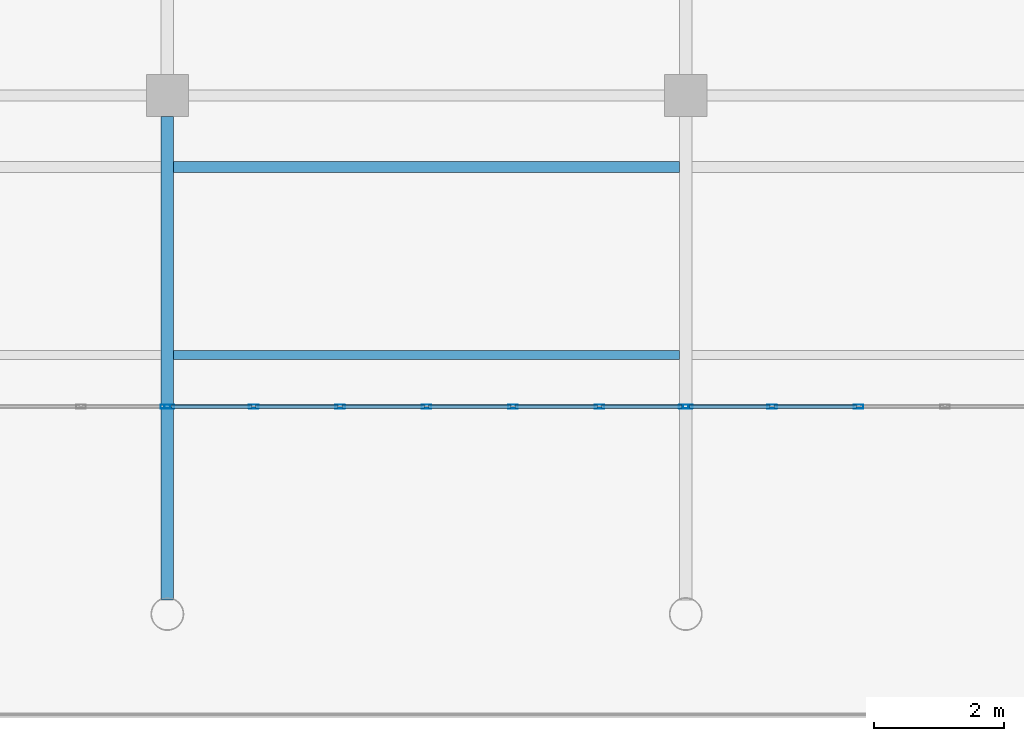
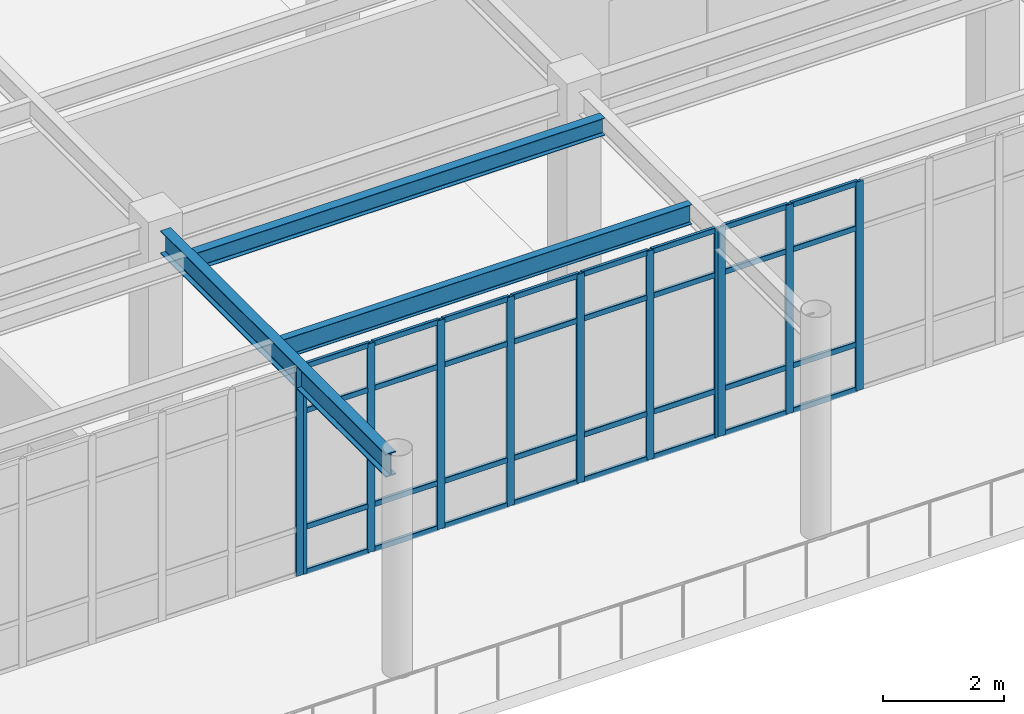
# One storey, part 39 of 75: 43 members, 3 beams, 3 elements without a shape of their own.
"""IFC4 building model written with IfcOpenShell, lengths in metres."""

from ifc_helpers import new_model, si_unit, direction, frame, origin, origin_2d, place, context, subcontext, project, spatial, hollow_rectangle, i_section, extrude, material, material_profile, profile_set, type_object, element, aggregate, save


model = new_model("IFC4")

# Units and contexts
model_context = context("Model", 3, precision=1e-05, world=origin(), true_north=direction((0.0, 1.0)))
body_context = subcontext(model_context, "Body", "Model", "MODEL_VIEW")
ifc_project = project(units=[si_unit("LENGTHUNIT", "METRE"), si_unit("AREAUNIT", "SQUARE_METRE"), si_unit("VOLUMEUNIT", "CUBIC_METRE"), si_unit("PLANEANGLEUNIT", "RADIAN"), si_unit("MASSUNIT", "GRAM", prefix="KILO")], contexts=[model_context])

# Site, building, storey
site_placement = place(None, origin())
site = spatial("IfcSite", under=ifc_project, at=site_placement, CompositionType="ELEMENT")
building_placement = place(site_placement, origin())
building = spatial("IfcBuilding", under=site, at=building_placement, Name="Solmirada Galleria", CompositionType="ELEMENT")
storey_placement = place(building_placement, frame((0.0, 0.0, 19.39990234375)))
storey = spatial("IfcBuildingStorey", under=building, at=storey_placement, Name="L04", CompositionType="ELEMENT", Elevation=19.39990234375)

# Beams
ifc_material_1 = material(Name="Steel S355 / ASTM A992 Grade 50", Category="steel")
ifc_material_profile_1 = material_profile(ifc_material_1, i_section(OverallWidth=0.193115234375, OverallDepth=0.466064453125, WebThickness=0.011474609375, FlangeThickness=0.01904296875, FilletRadius=0.013916015625, at=origin_2d()), Name="W18X65")
ifc_profile_set_1 = profile_set([ifc_material_profile_1], Name="Steel S355 / ASTM A992 Grade 50")
beam_type_1 = type_object("IfcBeamType", Name="BM-GIRD-W18C", PredefinedType="BEAM", material=ifc_profile_set_1)
beam_1_placement = place(storey_placement, frame((72.0, 88.21337890625, 4.027099609375), z_axis=(0.0, 1.0, 0.0), x_axis=(-1.0, 0.0, 0.0)))
element("IfcBeam", 1, at=beam_1_placement, inside=storey, type_object=beam_type_1, Name="Primary girder L05 Y(72, 88..96)", PredefinedType="BEAM", context=body_context, shape_type="SweptSolid", body=[
    extrude(i_section(OverallWidth=0.193115234375, OverallDepth=0.466064453125, WebThickness=0.011474609375, FlangeThickness=0.01904296875, FilletRadius=0.013916015625, at=origin_2d()), origin(), (0.0, 0.0, 1.0), 7.461669921875),
])
ifc_material_profile_2 = material_profile(ifc_material_1, i_section(OverallWidth=0.1708984375, OverallDepth=0.35205078125, WebThickness=0.0068359375, FlangeThickness=0.009765625, FilletRadius=0.010986328125, at=origin_2d()), Name="W14X30")
ifc_profile_set_2 = profile_set([ifc_material_profile_2], Name="Steel S355 / ASTM A992 Grade 50")
beam_type_2 = type_object("IfcBeamType", Name="BM-JST-W14B", PredefinedType="JOIST", material=ifc_profile_set_2)
beam_2_placement = place(storey_placement, frame((72.096435546875, 94.89990234375, 4.083984375), z_axis=(1.0, 0.0, 0.0), x_axis=(0.0, 1.0, 0.0)))
element("IfcBeam", 2, at=beam_2_placement, inside=storey, type_object=beam_type_2, Name="Terrace deck joist L05-TERR-NW X=72..80 (2)", PredefinedType="JOIST", context=body_context, shape_type="SweptSolid", body=[
    extrude(i_section(OverallWidth=0.1708984375, OverallDepth=0.35205078125, WebThickness=0.0068359375, FlangeThickness=0.009765625, FilletRadius=0.010986328125, at=origin_2d()), origin(), (0.0, 0.0, 1.0), 7.80712890625),
])
ifc_material_profile_3 = material_profile(ifc_material_1, i_section(OverallWidth=0.139892578125, OverallDepth=0.39892578125, WebThickness=0.00634765625, FlangeThickness=0.0087890625, FilletRadius=0.010986328125, at=origin_2d()), Name="W16X26")
ifc_profile_set_3 = profile_set([ifc_material_profile_3], Name="Steel S355 / ASTM A992 Grade 50")
beam_type_3 = type_object("IfcBeamType", Name="BM-JST-W16C", PredefinedType="JOIST", material=ifc_profile_set_3)
beam_3_placement = place(storey_placement, frame((72.096435546875, 92.0, 4.060546875), z_axis=(1.0, 0.0, 0.0), x_axis=(0.0, 1.0, 0.0)))
element("IfcBeam", 3, at=beam_3_placement, inside=storey, type_object=beam_type_3, Name="Composite floor joist L05 (72..80, 92.0)", PredefinedType="JOIST", context=body_context, shape_type="SweptSolid", body=[
    extrude(i_section(OverallWidth=0.139892578125, OverallDepth=0.39892578125, WebThickness=0.00634765625, FlangeThickness=0.0087890625, FilletRadius=0.010986328125, at=origin_2d()), origin(), (0.0, 0.0, 1.0), 7.80712890625),
])

# Curtain wall, members
ifc_material_2 = material(Name="Impact-resistant low-E double glazing", Category="glass")
curtain_wall_type = type_object("IfcCurtainWallType", Name="CW-FZ4-L04-B6-L080", PredefinedType="NOTDEFINED", material=ifc_material_2)
curtain_wall_1_placement = place(storey_placement, origin())
curtain_wall_1 = element("IfcCurtainWall", 4, at=curtain_wall_1_placement, inside=storey, type_object=curtain_wall_type, Name="Terrace and arcade storefront CW-L04-146", PredefinedType="NOTDEFINED")
ifc_material_3 = material(Name="Anodised aluminium framing", Category="aluminium")
ifc_material_profile_4 = material_profile(ifc_material_3, hollow_rectangle(XDim=0.06005859375, YDim=0.14990234375, WallThickness=0.00341796875, InnerFilletRadius=0.00341796875, OuterFilletRadius=0.007080078125, at=origin_2d()), Name="ALU-MULL-150X60")
ifc_profile_set_4 = profile_set([ifc_material_profile_4], Name="Anodised aluminium framing")
member_type_1 = type_object("IfcMemberType", Name="CW-MULL-150", PredefinedType="MULLION", material=ifc_profile_set_4)
member_1_placement = place(storey_placement, frame((82.666748046875, 91.199951171875, 0.0), z_axis=(0.0, 0.0, 1.0), x_axis=(0.0, -1.0, 0.0)))
member_1 = element("IfcMember", 5, at=member_1_placement, type_object=member_type_1, Name="CW31 mullion 5", PredefinedType="MULLION", context=body_context, shape_type="SweptSolid", body=[
    extrude(hollow_rectangle(XDim=0.06005859375, YDim=0.14990234375, WallThickness=0.00341796875, InnerFilletRadius=0.00341796875, OuterFilletRadius=0.007080078125, at=origin_2d()), origin(), (0.0, 0.0, 1.0), 4.22021484375),
])
member_2_placement = place(storey_placement, frame((81.333251953125, 91.199951171875, 0.0), z_axis=(0.0, 0.0, 1.0), x_axis=(0.0, -1.0, 0.0)))
member_2 = element("IfcMember", 6, at=member_2_placement, type_object=member_type_1, Name="CW31 mullion 6", PredefinedType="MULLION", context=body_context, shape_type="SweptSolid", body=[
    extrude(hollow_rectangle(XDim=0.06005859375, YDim=0.14990234375, WallThickness=0.00341796875, InnerFilletRadius=0.00341796875, OuterFilletRadius=0.007080078125, at=origin_2d()), origin(), (0.0, 0.0, 1.0), 4.22021484375),
])
member_3_placement = place(storey_placement, frame((80.030029296875, 91.199951171875, 0.0), z_axis=(0.0, 0.0, 1.0), x_axis=(0.0, -1.0, 0.0)))
member_3 = element("IfcMember", 7, at=member_3_placement, type_object=member_type_1, Name="CW31 mullion 7", PredefinedType="MULLION", context=body_context, shape_type="SweptSolid", body=[
    extrude(hollow_rectangle(XDim=0.06005859375, YDim=0.14990234375, WallThickness=0.00341796875, InnerFilletRadius=0.00341796875, OuterFilletRadius=0.007080078125, at=origin_2d()), origin(), (0.0, 0.0, 1.0), 4.22021484375),
])

curtain_wall_2_placement = place(storey_placement, origin())
curtain_wall_2 = element("IfcCurtainWall", 8, at=curtain_wall_2_placement, inside=storey, type_object=curtain_wall_type, Name="Terrace and arcade storefront CW-L04-147", PredefinedType="NOTDEFINED")
member_4_placement = place(storey_placement, frame((79.969970703125, 91.199951171875, 0.0), z_axis=(0.0, 0.0, 1.0), x_axis=(0.0, -1.0, 0.0)))
member_4 = element("IfcMember", 9, at=member_4_placement, type_object=member_type_1, Name="CW31 mullion 1", PredefinedType="MULLION", context=body_context, shape_type="SweptSolid", body=[
    extrude(hollow_rectangle(XDim=0.06005859375, YDim=0.14990234375, WallThickness=0.00341796875, InnerFilletRadius=0.00341796875, OuterFilletRadius=0.007080078125, at=origin_2d()), origin(), (0.0, 0.0, 1.0), 4.22021484375),
])
member_5_placement = place(storey_placement, frame((78.666748046875, 91.199951171875, 0.0), z_axis=(0.0, 0.0, 1.0), x_axis=(0.0, -1.0, 0.0)))
member_5 = element("IfcMember", 10, at=member_5_placement, type_object=member_type_1, Name="CW31 mullion 2", PredefinedType="MULLION", context=body_context, shape_type="SweptSolid", body=[
    extrude(hollow_rectangle(XDim=0.06005859375, YDim=0.14990234375, WallThickness=0.00341796875, InnerFilletRadius=0.00341796875, OuterFilletRadius=0.007080078125, at=origin_2d()), origin(), (0.0, 0.0, 1.0), 4.22021484375),
])
member_6_placement = place(storey_placement, frame((77.333251953125, 91.199951171875, 0.0), z_axis=(0.0, 0.0, 1.0), x_axis=(0.0, -1.0, 0.0)))
member_6 = element("IfcMember", 11, at=member_6_placement, type_object=member_type_1, Name="CW31 mullion 3", PredefinedType="MULLION", context=body_context, shape_type="SweptSolid", body=[
    extrude(hollow_rectangle(XDim=0.06005859375, YDim=0.14990234375, WallThickness=0.00341796875, InnerFilletRadius=0.00341796875, OuterFilletRadius=0.007080078125, at=origin_2d()), origin(), (0.0, 0.0, 1.0), 4.22021484375),
])
member_7_placement = place(storey_placement, frame((76.0, 91.199951171875, 0.0), z_axis=(0.0, 0.0, 1.0), x_axis=(0.0, -1.0, 0.0)))
member_7 = element("IfcMember", 12, at=member_7_placement, type_object=member_type_1, Name="CW31 mullion 4", PredefinedType="MULLION", context=body_context, shape_type="SweptSolid", body=[
    extrude(hollow_rectangle(XDim=0.06005859375, YDim=0.14990234375, WallThickness=0.00341796875, InnerFilletRadius=0.00341796875, OuterFilletRadius=0.007080078125, at=origin_2d()), origin(), (0.0, 0.0, 1.0), 4.22021484375),
])
member_8_placement = place(storey_placement, frame((74.666748046875, 91.199951171875, 0.0), z_axis=(0.0, 0.0, 1.0), x_axis=(0.0, -1.0, 0.0)))
member_8 = element("IfcMember", 13, at=member_8_placement, type_object=member_type_1, Name="CW31 mullion 5", PredefinedType="MULLION", context=body_context, shape_type="SweptSolid", body=[
    extrude(hollow_rectangle(XDim=0.06005859375, YDim=0.14990234375, WallThickness=0.00341796875, InnerFilletRadius=0.00341796875, OuterFilletRadius=0.007080078125, at=origin_2d()), origin(), (0.0, 0.0, 1.0), 4.22021484375),
])
member_9_placement = place(storey_placement, frame((73.333251953125, 91.199951171875, 0.0), z_axis=(0.0, 0.0, 1.0), x_axis=(0.0, -1.0, 0.0)))
member_9 = element("IfcMember", 14, at=member_9_placement, type_object=member_type_1, Name="CW31 mullion 6", PredefinedType="MULLION", context=body_context, shape_type="SweptSolid", body=[
    extrude(hollow_rectangle(XDim=0.06005859375, YDim=0.14990234375, WallThickness=0.00341796875, InnerFilletRadius=0.00341796875, OuterFilletRadius=0.007080078125, at=origin_2d()), origin(), (0.0, 0.0, 1.0), 4.22021484375),
])
member_10_placement = place(storey_placement, frame((72.030029296875, 91.199951171875, 0.0), z_axis=(0.0, 0.0, 1.0), x_axis=(0.0, -1.0, 0.0)))
member_10 = element("IfcMember", 15, at=member_10_placement, type_object=member_type_1, Name="CW31 mullion 7", PredefinedType="MULLION", context=body_context, shape_type="SweptSolid", body=[
    extrude(hollow_rectangle(XDim=0.06005859375, YDim=0.14990234375, WallThickness=0.00341796875, InnerFilletRadius=0.00341796875, OuterFilletRadius=0.007080078125, at=origin_2d()), origin(), (0.0, 0.0, 1.0), 4.22021484375),
])

# Curtain wall, member
curtain_wall_3_placement = place(storey_placement, origin())
curtain_wall_3 = element("IfcCurtainWall", 16, at=curtain_wall_3_placement, inside=storey, type_object=curtain_wall_type, Name="Terrace and arcade storefront CW-L04-148", PredefinedType="NOTDEFINED")
member_11_placement = place(storey_placement, frame((71.969970703125, 91.199951171875, 0.0), z_axis=(0.0, 0.0, 1.0), x_axis=(0.0, -1.0, 0.0)))
member_11 = element("IfcMember", 17, at=member_11_placement, type_object=member_type_1, Name="CW31 mullion 1", PredefinedType="MULLION", context=body_context, shape_type="SweptSolid", body=[
    extrude(hollow_rectangle(XDim=0.06005859375, YDim=0.14990234375, WallThickness=0.00341796875, InnerFilletRadius=0.00341796875, OuterFilletRadius=0.007080078125, at=origin_2d()), origin(), (0.0, 0.0, 1.0), 4.22021484375),
])
aggregate(curtain_wall_3, [member_11])

# Member
ifc_material_profile_5 = material_profile(ifc_material_3, hollow_rectangle(XDim=0.06005859375, YDim=0.110107421875, WallThickness=0.003173828125, InnerFilletRadius=0.003173828125, OuterFilletRadius=0.00634765625, at=origin_2d()), Name="ALU-TRAN-110X60")
ifc_profile_set_5 = profile_set([ifc_material_profile_5], Name="Anodised aluminium framing")
member_type_2 = type_object("IfcMemberType", Name="CW-TRAN-110", PredefinedType="USERDEFINED", material=ifc_profile_set_5)
member_12_placement = place(storey_placement, frame((82.63671875, 91.199951171875, 0.030029296875), z_axis=(-1.0, 0.0, 0.0), x_axis=(0.0, -1.0, 0.0)))
member_12 = element("IfcMember", 18, at=member_12_placement, type_object=member_type_2, Name="CW31 transom 5.1", ObjectType="TRANSOM", PredefinedType="USERDEFINED", context=body_context, shape_type="SweptSolid", body=[
    extrude(hollow_rectangle(XDim=0.06005859375, YDim=0.110107421875, WallThickness=0.003173828125, InnerFilletRadius=0.003173828125, OuterFilletRadius=0.00634765625, at=origin_2d()), origin(), (0.0, 0.0, 1.0), 1.2734375),
])

member_13_placement = place(storey_placement, frame((82.63671875, 91.199951171875, 0.940185546875), z_axis=(-1.0, 0.0, 0.0), x_axis=(0.0, -1.0, 0.0)))
member_13 = element("IfcMember", 19, at=member_13_placement, type_object=member_type_2, Name="CW31 transom 5.2", ObjectType="TRANSOM", PredefinedType="USERDEFINED", context=body_context, shape_type="SweptSolid", body=[
    extrude(hollow_rectangle(XDim=0.06005859375, YDim=0.110107421875, WallThickness=0.003173828125, InnerFilletRadius=0.003173828125, OuterFilletRadius=0.00634765625, at=origin_2d()), origin(), (0.0, 0.0, 1.0), 1.2734375),
])

member_14_placement = place(storey_placement, frame((82.63671875, 91.199951171875, 3.2900390625), z_axis=(-1.0, 0.0, 0.0), x_axis=(0.0, -1.0, 0.0)))
member_14 = element("IfcMember", 20, at=member_14_placement, type_object=member_type_2, Name="CW31 transom 5.3", ObjectType="TRANSOM", PredefinedType="USERDEFINED", context=body_context, shape_type="SweptSolid", body=[
    extrude(hollow_rectangle(XDim=0.06005859375, YDim=0.110107421875, WallThickness=0.003173828125, InnerFilletRadius=0.003173828125, OuterFilletRadius=0.00634765625, at=origin_2d()), origin(), (0.0, 0.0, 1.0), 1.2734375),
])

member_15_placement = place(storey_placement, frame((82.63671875, 91.199951171875, 4.190185546875), z_axis=(-1.0, 0.0, 0.0), x_axis=(0.0, -1.0, 0.0)))
member_15 = element("IfcMember", 21, at=member_15_placement, type_object=member_type_2, Name="CW31 transom 5.4", ObjectType="TRANSOM", PredefinedType="USERDEFINED", context=body_context, shape_type="SweptSolid", body=[
    extrude(hollow_rectangle(XDim=0.06005859375, YDim=0.110107421875, WallThickness=0.003173828125, InnerFilletRadius=0.003173828125, OuterFilletRadius=0.00634765625, at=origin_2d()), origin(), (0.0, 0.0, 1.0), 1.2734375),
])

member_16_placement = place(storey_placement, frame((81.30322265625, 91.199951171875, 0.030029296875), z_axis=(-1.0, 0.0, 0.0), x_axis=(0.0, -1.0, 0.0)))
member_16 = element("IfcMember", 22, at=member_16_placement, type_object=member_type_2, Name="CW31 transom 6.1", ObjectType="TRANSOM", PredefinedType="USERDEFINED", context=body_context, shape_type="SweptSolid", body=[
    extrude(hollow_rectangle(XDim=0.06005859375, YDim=0.110107421875, WallThickness=0.003173828125, InnerFilletRadius=0.003173828125, OuterFilletRadius=0.00634765625, at=origin_2d()), origin(), (0.0, 0.0, 1.0), 1.2431640625),
])

member_17_placement = place(storey_placement, frame((81.30322265625, 91.199951171875, 0.940185546875), z_axis=(-1.0, 0.0, 0.0), x_axis=(0.0, -1.0, 0.0)))
member_17 = element("IfcMember", 23, at=member_17_placement, type_object=member_type_2, Name="CW31 transom 6.2", ObjectType="TRANSOM", PredefinedType="USERDEFINED", context=body_context, shape_type="SweptSolid", body=[
    extrude(hollow_rectangle(XDim=0.06005859375, YDim=0.110107421875, WallThickness=0.003173828125, InnerFilletRadius=0.003173828125, OuterFilletRadius=0.00634765625, at=origin_2d()), origin(), (0.0, 0.0, 1.0), 1.2431640625),
])

member_18_placement = place(storey_placement, frame((81.30322265625, 91.199951171875, 3.2900390625), z_axis=(-1.0, 0.0, 0.0), x_axis=(0.0, -1.0, 0.0)))
member_18 = element("IfcMember", 24, at=member_18_placement, type_object=member_type_2, Name="CW31 transom 6.3", ObjectType="TRANSOM", PredefinedType="USERDEFINED", context=body_context, shape_type="SweptSolid", body=[
    extrude(hollow_rectangle(XDim=0.06005859375, YDim=0.110107421875, WallThickness=0.003173828125, InnerFilletRadius=0.003173828125, OuterFilletRadius=0.00634765625, at=origin_2d()), origin(), (0.0, 0.0, 1.0), 1.2431640625),
])

member_19_placement = place(storey_placement, frame((81.30322265625, 91.199951171875, 4.190185546875), z_axis=(-1.0, 0.0, 0.0), x_axis=(0.0, -1.0, 0.0)))
member_19 = element("IfcMember", 25, at=member_19_placement, type_object=member_type_2, Name="CW31 transom 6.4", ObjectType="TRANSOM", PredefinedType="USERDEFINED", context=body_context, shape_type="SweptSolid", body=[
    extrude(hollow_rectangle(XDim=0.06005859375, YDim=0.110107421875, WallThickness=0.003173828125, InnerFilletRadius=0.003173828125, OuterFilletRadius=0.00634765625, at=origin_2d()), origin(), (0.0, 0.0, 1.0), 1.2431640625),
])

aggregate(curtain_wall_1, [member_1, member_2, member_3, member_12, member_13, member_14, member_15, member_16, member_17, member_18, member_19])

member_20_placement = place(storey_placement, frame((79.93994140625, 91.199951171875, 0.030029296875), z_axis=(-1.0, 0.0, 0.0), x_axis=(0.0, -1.0, 0.0)))
member_20 = element("IfcMember", 26, at=member_20_placement, type_object=member_type_2, Name="CW31 transom 1.1", ObjectType="TRANSOM", PredefinedType="USERDEFINED", context=body_context, shape_type="SweptSolid", body=[
    extrude(hollow_rectangle(XDim=0.06005859375, YDim=0.110107421875, WallThickness=0.003173828125, InnerFilletRadius=0.003173828125, OuterFilletRadius=0.00634765625, at=origin_2d()), origin(), (0.0, 0.0, 1.0), 1.2431640625),
])

member_21_placement = place(storey_placement, frame((79.93994140625, 91.199951171875, 0.940185546875), z_axis=(-1.0, 0.0, 0.0), x_axis=(0.0, -1.0, 0.0)))
member_21 = element("IfcMember", 27, at=member_21_placement, type_object=member_type_2, Name="CW31 transom 1.2", ObjectType="TRANSOM", PredefinedType="USERDEFINED", context=body_context, shape_type="SweptSolid", body=[
    extrude(hollow_rectangle(XDim=0.06005859375, YDim=0.110107421875, WallThickness=0.003173828125, InnerFilletRadius=0.003173828125, OuterFilletRadius=0.00634765625, at=origin_2d()), origin(), (0.0, 0.0, 1.0), 1.2431640625),
])

member_22_placement = place(storey_placement, frame((79.93994140625, 91.199951171875, 3.2900390625), z_axis=(-1.0, 0.0, 0.0), x_axis=(0.0, -1.0, 0.0)))
member_22 = element("IfcMember", 28, at=member_22_placement, type_object=member_type_2, Name="CW31 transom 1.3", ObjectType="TRANSOM", PredefinedType="USERDEFINED", context=body_context, shape_type="SweptSolid", body=[
    extrude(hollow_rectangle(XDim=0.06005859375, YDim=0.110107421875, WallThickness=0.003173828125, InnerFilletRadius=0.003173828125, OuterFilletRadius=0.00634765625, at=origin_2d()), origin(), (0.0, 0.0, 1.0), 1.2431640625),
])

member_23_placement = place(storey_placement, frame((79.93994140625, 91.199951171875, 4.190185546875), z_axis=(-1.0, 0.0, 0.0), x_axis=(0.0, -1.0, 0.0)))
member_23 = element("IfcMember", 29, at=member_23_placement, type_object=member_type_2, Name="CW31 transom 1.4", ObjectType="TRANSOM", PredefinedType="USERDEFINED", context=body_context, shape_type="SweptSolid", body=[
    extrude(hollow_rectangle(XDim=0.06005859375, YDim=0.110107421875, WallThickness=0.003173828125, InnerFilletRadius=0.003173828125, OuterFilletRadius=0.00634765625, at=origin_2d()), origin(), (0.0, 0.0, 1.0), 1.2431640625),
])

member_24_placement = place(storey_placement, frame((78.63671875, 91.199951171875, 0.030029296875), z_axis=(-1.0, 0.0, 0.0), x_axis=(0.0, -1.0, 0.0)))
member_24 = element("IfcMember", 30, at=member_24_placement, type_object=member_type_2, Name="CW31 transom 2.1", ObjectType="TRANSOM", PredefinedType="USERDEFINED", context=body_context, shape_type="SweptSolid", body=[
    extrude(hollow_rectangle(XDim=0.06005859375, YDim=0.110107421875, WallThickness=0.003173828125, InnerFilletRadius=0.003173828125, OuterFilletRadius=0.00634765625, at=origin_2d()), origin(), (0.0, 0.0, 1.0), 1.2734375),
])

member_25_placement = place(storey_placement, frame((78.63671875, 91.199951171875, 0.940185546875), z_axis=(-1.0, 0.0, 0.0), x_axis=(0.0, -1.0, 0.0)))
member_25 = element("IfcMember", 31, at=member_25_placement, type_object=member_type_2, Name="CW31 transom 2.2", ObjectType="TRANSOM", PredefinedType="USERDEFINED", context=body_context, shape_type="SweptSolid", body=[
    extrude(hollow_rectangle(XDim=0.06005859375, YDim=0.110107421875, WallThickness=0.003173828125, InnerFilletRadius=0.003173828125, OuterFilletRadius=0.00634765625, at=origin_2d()), origin(), (0.0, 0.0, 1.0), 1.2734375),
])

member_26_placement = place(storey_placement, frame((78.63671875, 91.199951171875, 3.2900390625), z_axis=(-1.0, 0.0, 0.0), x_axis=(0.0, -1.0, 0.0)))
member_26 = element("IfcMember", 32, at=member_26_placement, type_object=member_type_2, Name="CW31 transom 2.3", ObjectType="TRANSOM", PredefinedType="USERDEFINED", context=body_context, shape_type="SweptSolid", body=[
    extrude(hollow_rectangle(XDim=0.06005859375, YDim=0.110107421875, WallThickness=0.003173828125, InnerFilletRadius=0.003173828125, OuterFilletRadius=0.00634765625, at=origin_2d()), origin(), (0.0, 0.0, 1.0), 1.2734375),
])

member_27_placement = place(storey_placement, frame((78.63671875, 91.199951171875, 4.190185546875), z_axis=(-1.0, 0.0, 0.0), x_axis=(0.0, -1.0, 0.0)))
member_27 = element("IfcMember", 33, at=member_27_placement, type_object=member_type_2, Name="CW31 transom 2.4", ObjectType="TRANSOM", PredefinedType="USERDEFINED", context=body_context, shape_type="SweptSolid", body=[
    extrude(hollow_rectangle(XDim=0.06005859375, YDim=0.110107421875, WallThickness=0.003173828125, InnerFilletRadius=0.003173828125, OuterFilletRadius=0.00634765625, at=origin_2d()), origin(), (0.0, 0.0, 1.0), 1.2734375),
])

member_28_placement = place(storey_placement, frame((77.30322265625, 91.199951171875, 0.030029296875), z_axis=(-1.0, 0.0, 0.0), x_axis=(0.0, -1.0, 0.0)))
member_28 = element("IfcMember", 34, at=member_28_placement, type_object=member_type_2, Name="CW31 transom 3.1", ObjectType="TRANSOM", PredefinedType="USERDEFINED", context=body_context, shape_type="SweptSolid", body=[
    extrude(hollow_rectangle(XDim=0.06005859375, YDim=0.110107421875, WallThickness=0.003173828125, InnerFilletRadius=0.003173828125, OuterFilletRadius=0.00634765625, at=origin_2d()), origin(), (0.0, 0.0, 1.0), 1.273193359375),
])

member_29_placement = place(storey_placement, frame((77.30322265625, 91.199951171875, 0.940185546875), z_axis=(-1.0, 0.0, 0.0), x_axis=(0.0, -1.0, 0.0)))
member_29 = element("IfcMember", 35, at=member_29_placement, type_object=member_type_2, Name="CW31 transom 3.2", ObjectType="TRANSOM", PredefinedType="USERDEFINED", context=body_context, shape_type="SweptSolid", body=[
    extrude(hollow_rectangle(XDim=0.06005859375, YDim=0.110107421875, WallThickness=0.003173828125, InnerFilletRadius=0.003173828125, OuterFilletRadius=0.00634765625, at=origin_2d()), origin(), (0.0, 0.0, 1.0), 1.273193359375),
])

member_30_placement = place(storey_placement, frame((77.30322265625, 91.199951171875, 3.2900390625), z_axis=(-1.0, 0.0, 0.0), x_axis=(0.0, -1.0, 0.0)))
member_30 = element("IfcMember", 36, at=member_30_placement, type_object=member_type_2, Name="CW31 transom 3.3", ObjectType="TRANSOM", PredefinedType="USERDEFINED", context=body_context, shape_type="SweptSolid", body=[
    extrude(hollow_rectangle(XDim=0.06005859375, YDim=0.110107421875, WallThickness=0.003173828125, InnerFilletRadius=0.003173828125, OuterFilletRadius=0.00634765625, at=origin_2d()), origin(), (0.0, 0.0, 1.0), 1.273193359375),
])

member_31_placement = place(storey_placement, frame((77.30322265625, 91.199951171875, 4.190185546875), z_axis=(-1.0, 0.0, 0.0), x_axis=(0.0, -1.0, 0.0)))
member_31 = element("IfcMember", 37, at=member_31_placement, type_object=member_type_2, Name="CW31 transom 3.4", ObjectType="TRANSOM", PredefinedType="USERDEFINED", context=body_context, shape_type="SweptSolid", body=[
    extrude(hollow_rectangle(XDim=0.06005859375, YDim=0.110107421875, WallThickness=0.003173828125, InnerFilletRadius=0.003173828125, OuterFilletRadius=0.00634765625, at=origin_2d()), origin(), (0.0, 0.0, 1.0), 1.273193359375),
])

member_32_placement = place(storey_placement, frame((75.969970703125, 91.199951171875, 0.030029296875), z_axis=(-1.0, 0.0, 0.0), x_axis=(0.0, -1.0, 0.0)))
member_32 = element("IfcMember", 38, at=member_32_placement, type_object=member_type_2, Name="CW31 transom 4.1", ObjectType="TRANSOM", PredefinedType="USERDEFINED", context=body_context, shape_type="SweptSolid", body=[
    extrude(hollow_rectangle(XDim=0.06005859375, YDim=0.110107421875, WallThickness=0.003173828125, InnerFilletRadius=0.003173828125, OuterFilletRadius=0.00634765625, at=origin_2d()), origin(), (0.0, 0.0, 1.0), 1.273193359375),
])

member_33_placement = place(storey_placement, frame((75.969970703125, 91.199951171875, 0.940185546875), z_axis=(-1.0, 0.0, 0.0), x_axis=(0.0, -1.0, 0.0)))
member_33 = element("IfcMember", 39, at=member_33_placement, type_object=member_type_2, Name="CW31 transom 4.2", ObjectType="TRANSOM", PredefinedType="USERDEFINED", context=body_context, shape_type="SweptSolid", body=[
    extrude(hollow_rectangle(XDim=0.06005859375, YDim=0.110107421875, WallThickness=0.003173828125, InnerFilletRadius=0.003173828125, OuterFilletRadius=0.00634765625, at=origin_2d()), origin(), (0.0, 0.0, 1.0), 1.273193359375),
])

member_34_placement = place(storey_placement, frame((75.969970703125, 91.199951171875, 3.2900390625), z_axis=(-1.0, 0.0, 0.0), x_axis=(0.0, -1.0, 0.0)))
member_34 = element("IfcMember", 40, at=member_34_placement, type_object=member_type_2, Name="CW31 transom 4.3", ObjectType="TRANSOM", PredefinedType="USERDEFINED", context=body_context, shape_type="SweptSolid", body=[
    extrude(hollow_rectangle(XDim=0.06005859375, YDim=0.110107421875, WallThickness=0.003173828125, InnerFilletRadius=0.003173828125, OuterFilletRadius=0.00634765625, at=origin_2d()), origin(), (0.0, 0.0, 1.0), 1.273193359375),
])

member_35_placement = place(storey_placement, frame((75.969970703125, 91.199951171875, 4.190185546875), z_axis=(-1.0, 0.0, 0.0), x_axis=(0.0, -1.0, 0.0)))
member_35 = element("IfcMember", 41, at=member_35_placement, type_object=member_type_2, Name="CW31 transom 4.4", ObjectType="TRANSOM", PredefinedType="USERDEFINED", context=body_context, shape_type="SweptSolid", body=[
    extrude(hollow_rectangle(XDim=0.06005859375, YDim=0.110107421875, WallThickness=0.003173828125, InnerFilletRadius=0.003173828125, OuterFilletRadius=0.00634765625, at=origin_2d()), origin(), (0.0, 0.0, 1.0), 1.273193359375),
])

member_36_placement = place(storey_placement, frame((74.63671875, 91.199951171875, 0.030029296875), z_axis=(-1.0, 0.0, 0.0), x_axis=(0.0, -1.0, 0.0)))
member_36 = element("IfcMember", 42, at=member_36_placement, type_object=member_type_2, Name="CW31 transom 5.1", ObjectType="TRANSOM", PredefinedType="USERDEFINED", context=body_context, shape_type="SweptSolid", body=[
    extrude(hollow_rectangle(XDim=0.06005859375, YDim=0.110107421875, WallThickness=0.003173828125, InnerFilletRadius=0.003173828125, OuterFilletRadius=0.00634765625, at=origin_2d()), origin(), (0.0, 0.0, 1.0), 1.2734375),
])

member_37_placement = place(storey_placement, frame((74.63671875, 91.199951171875, 0.940185546875), z_axis=(-1.0, 0.0, 0.0), x_axis=(0.0, -1.0, 0.0)))
member_37 = element("IfcMember", 43, at=member_37_placement, type_object=member_type_2, Name="CW31 transom 5.2", ObjectType="TRANSOM", PredefinedType="USERDEFINED", context=body_context, shape_type="SweptSolid", body=[
    extrude(hollow_rectangle(XDim=0.06005859375, YDim=0.110107421875, WallThickness=0.003173828125, InnerFilletRadius=0.003173828125, OuterFilletRadius=0.00634765625, at=origin_2d()), origin(), (0.0, 0.0, 1.0), 1.2734375),
])

member_38_placement = place(storey_placement, frame((74.63671875, 91.199951171875, 3.2900390625), z_axis=(-1.0, 0.0, 0.0), x_axis=(0.0, -1.0, 0.0)))
member_38 = element("IfcMember", 44, at=member_38_placement, type_object=member_type_2, Name="CW31 transom 5.3", ObjectType="TRANSOM", PredefinedType="USERDEFINED", context=body_context, shape_type="SweptSolid", body=[
    extrude(hollow_rectangle(XDim=0.06005859375, YDim=0.110107421875, WallThickness=0.003173828125, InnerFilletRadius=0.003173828125, OuterFilletRadius=0.00634765625, at=origin_2d()), origin(), (0.0, 0.0, 1.0), 1.2734375),
])

member_39_placement = place(storey_placement, frame((74.63671875, 91.199951171875, 4.190185546875), z_axis=(-1.0, 0.0, 0.0), x_axis=(0.0, -1.0, 0.0)))
member_39 = element("IfcMember", 45, at=member_39_placement, type_object=member_type_2, Name="CW31 transom 5.4", ObjectType="TRANSOM", PredefinedType="USERDEFINED", context=body_context, shape_type="SweptSolid", body=[
    extrude(hollow_rectangle(XDim=0.06005859375, YDim=0.110107421875, WallThickness=0.003173828125, InnerFilletRadius=0.003173828125, OuterFilletRadius=0.00634765625, at=origin_2d()), origin(), (0.0, 0.0, 1.0), 1.2734375),
])

member_40_placement = place(storey_placement, frame((73.30322265625, 91.199951171875, 0.030029296875), z_axis=(-1.0, 0.0, 0.0), x_axis=(0.0, -1.0, 0.0)))
member_40 = element("IfcMember", 46, at=member_40_placement, type_object=member_type_2, Name="CW31 transom 6.1", ObjectType="TRANSOM", PredefinedType="USERDEFINED", context=body_context, shape_type="SweptSolid", body=[
    extrude(hollow_rectangle(XDim=0.06005859375, YDim=0.110107421875, WallThickness=0.003173828125, InnerFilletRadius=0.003173828125, OuterFilletRadius=0.00634765625, at=origin_2d()), origin(), (0.0, 0.0, 1.0), 1.2431640625),
])

member_41_placement = place(storey_placement, frame((73.30322265625, 91.199951171875, 0.940185546875), z_axis=(-1.0, 0.0, 0.0), x_axis=(0.0, -1.0, 0.0)))
member_41 = element("IfcMember", 47, at=member_41_placement, type_object=member_type_2, Name="CW31 transom 6.2", ObjectType="TRANSOM", PredefinedType="USERDEFINED", context=body_context, shape_type="SweptSolid", body=[
    extrude(hollow_rectangle(XDim=0.06005859375, YDim=0.110107421875, WallThickness=0.003173828125, InnerFilletRadius=0.003173828125, OuterFilletRadius=0.00634765625, at=origin_2d()), origin(), (0.0, 0.0, 1.0), 1.2431640625),
])

member_42_placement = place(storey_placement, frame((73.30322265625, 91.199951171875, 3.2900390625), z_axis=(-1.0, 0.0, 0.0), x_axis=(0.0, -1.0, 0.0)))
member_42 = element("IfcMember", 48, at=member_42_placement, type_object=member_type_2, Name="CW31 transom 6.3", ObjectType="TRANSOM", PredefinedType="USERDEFINED", context=body_context, shape_type="SweptSolid", body=[
    extrude(hollow_rectangle(XDim=0.06005859375, YDim=0.110107421875, WallThickness=0.003173828125, InnerFilletRadius=0.003173828125, OuterFilletRadius=0.00634765625, at=origin_2d()), origin(), (0.0, 0.0, 1.0), 1.2431640625),
])

member_43_placement = place(storey_placement, frame((73.30322265625, 91.199951171875, 4.190185546875), z_axis=(-1.0, 0.0, 0.0), x_axis=(0.0, -1.0, 0.0)))
member_43 = element("IfcMember", 49, at=member_43_placement, type_object=member_type_2, Name="CW31 transom 6.4", ObjectType="TRANSOM", PredefinedType="USERDEFINED", context=body_context, shape_type="SweptSolid", body=[
    extrude(hollow_rectangle(XDim=0.06005859375, YDim=0.110107421875, WallThickness=0.003173828125, InnerFilletRadius=0.003173828125, OuterFilletRadius=0.00634765625, at=origin_2d()), origin(), (0.0, 0.0, 1.0), 1.2431640625),
])

aggregate(curtain_wall_2, [member_4, member_5, member_6, member_7, member_8, member_9, member_10, member_20, member_21, member_22, member_23, member_24, member_25, member_26, member_27, member_28, member_29, member_30, member_31, member_32, member_33, member_34, member_35, member_36, member_37, member_38, member_39, member_40, member_41, member_42, member_43])

save(model, "model.ifc")
